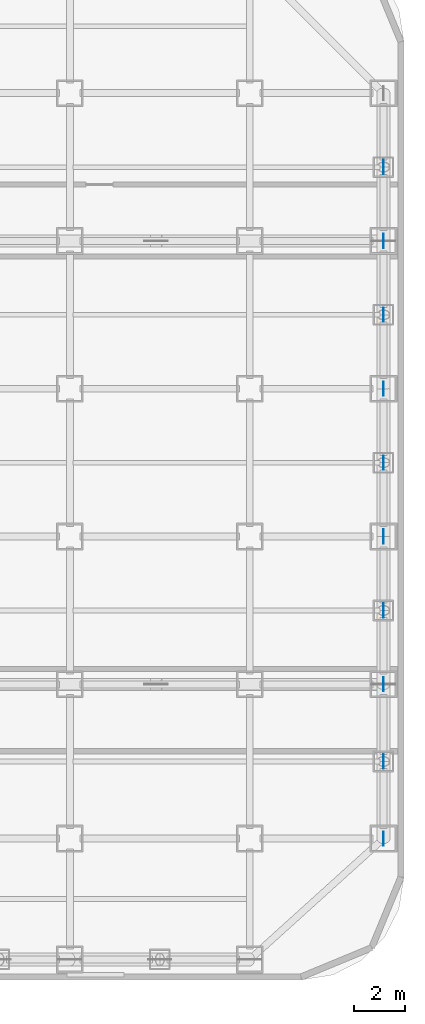
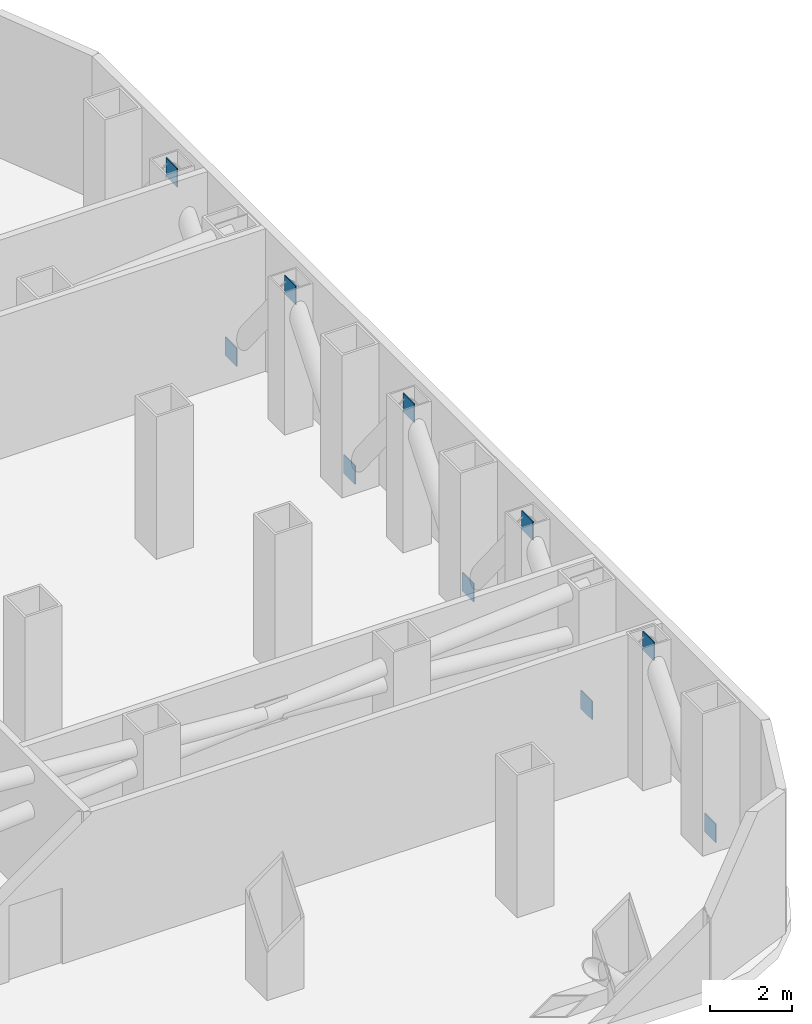
# One storey, part 6 of 10: 10 plates.
"""IFC4 building model written with IfcOpenShell, lengths in metres."""

from ifc_helpers import new_model, si_unit, direction, frame, origin, origin_2d, place, context, subcontext, project, spatial, rectangle, extrude, source, transform, mapped, material, layer, layer_set, type_object, element, save


model = new_model("IFC4")

# Units and contexts
model_context = context("Model", 3, precision=1e-05, world=origin(), true_north=direction((0.0, 1.0)))
body_context = subcontext(model_context, "Body", "Model", "MODEL_VIEW")
ifc_project = project(units=[si_unit("LENGTHUNIT", "METRE"), si_unit("AREAUNIT", "SQUARE_METRE"), si_unit("VOLUMEUNIT", "CUBIC_METRE"), si_unit("PLANEANGLEUNIT", "RADIAN"), si_unit("MASSUNIT", "GRAM", prefix="KILO")], contexts=[model_context])

# Site, building, storey
site_placement = place(None, origin())
site = spatial("IfcSite", under=ifc_project, at=site_placement, CompositionType="ELEMENT")
building_placement = place(site_placement, origin())
building = spatial("IfcBuilding", under=site, at=building_placement, Name="Kolveth Station Tower", CompositionType="ELEMENT")
storey_placement = place(building_placement, frame((0.0, 0.0, 76.5)))
storey = spatial("IfcBuildingStorey", under=building, at=storey_placement, Name="L20", CompositionType="ELEMENT", Elevation=76.5)

# Plates
ifc_material = material(Name="Steel S355", Category="steel")
ifc_layer = layer(ifc_material, 0.028076171875)
ifc_layer_set = layer_set([ifc_layer], Name="Steel S355")
plate_type = type_object("IfcPlateType", Name="Plate_CP1", PredefinedType="USERDEFINED", material=ifc_layer_set)
shared_shape = source(origin(), body_context, "Body", "SweptSolid", [
    extrude(rectangle(XDim=0.028076171875, YDim=0.550048828125, at=origin_2d()), origin(), (0.0, 0.0, 1.0), 0.550048828125),
])
for number, where, z_axis, x_axis, name in (
    (1, (46.199951171875, 5.5, 0.0751953125), (0.0, 0.0, 1.0), (1.0, 0.0, 0.0), "L20 Belt Truss Base Plate E1"),
    (2, (46.199951171875, 11.5, 0.0751953125), (0.0, 0.0, 1.0), (1.0, 0.0, 0.0), "L20 Belt Truss Base Plate E2"),
    (3, (46.199951171875, 17.25, 0.0751953125), (0.0, 0.0, 1.0), (1.0, 0.0, 0.0), "L20 Belt Truss Base Plate E3"),
    (4, (46.199951171875, 23.0, 0.0751953125), (0.0, 0.0, 1.0), (1.0, 0.0, 0.0), "L20 Belt Truss Base Plate E4"),
    (5, (46.199951171875, 28.75, 0.0751953125), (0.0, 0.0, 1.0), (1.0, 0.0, 0.0), "L20 Belt Truss Base Plate E5"),
    (6, (46.199951171875, 8.5, 3.64501953125), (0.0, 0.0, 1.0), (1.0, 0.0, 0.0), "L20 Belt Truss Cap Plate E1"),
    (7, (46.199951171875, 14.375, 3.64501953125), (0.0, 0.0, 1.0), (1.0, 0.0, 0.0), "L20 Belt Truss Cap Plate E2"),
    (8, (46.199951171875, 20.125, 3.64501953125), (0.0, 0.0, 1.0), (1.0, 0.0, 0.0), "L20 Belt Truss Cap Plate E3"),
    (9, (46.199951171875, 25.875, 3.64501953125), (0.0, 0.0, 1.0), (1.0, 0.0, 0.0), "L20 Belt Truss Cap Plate E4"),
    (10, (46.199951171875, 31.625, 3.64501953125), (0.0, 0.0, 1.0), (1.0, 0.0, 0.0), "L20 Belt Truss Cap Plate E5"),
):
    element("IfcPlate", number, at=place(storey_placement, frame(where, z_axis=z_axis, x_axis=x_axis)), inside=storey, type_object=plate_type, Name=name, ObjectType="GUSSET_PLATE", PredefinedType="USERDEFINED", context=body_context, shape_type="MappedRepresentation", body=[
        mapped(shared_shape, transform((0.0, 0.0, 0.0), x_axis=(1.0, 0.0, 0.0), y_axis=(0.0, 1.0, 0.0), z_axis=(0.0, 0.0, 1.0), scale=1.0)),
    ])

save(model, "model.ifc")
